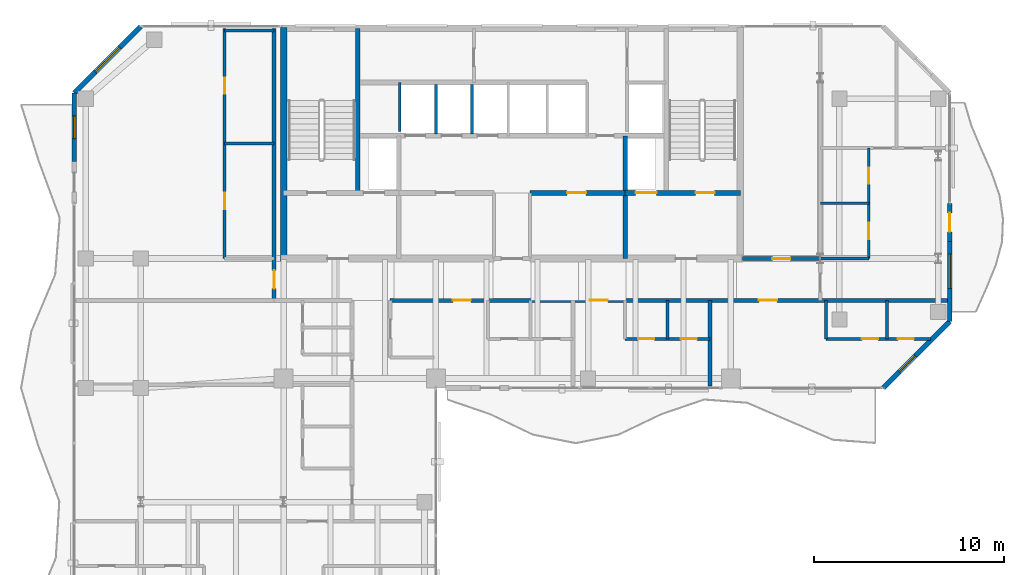
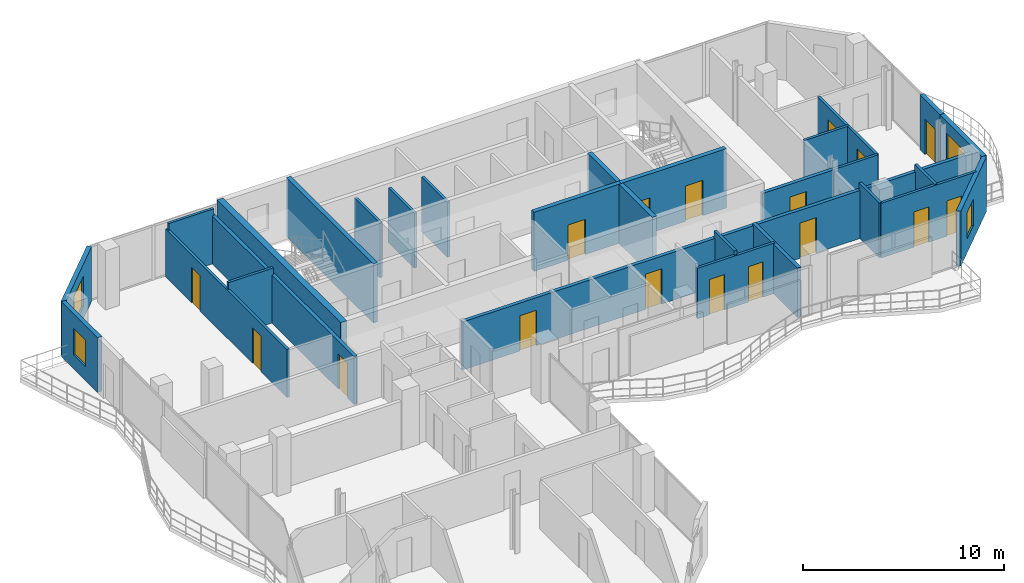
# One storey, part 19 of 23: 28 walls, 17 doors, 4 windows, 21 openings.
"""IFC4 building model written with IfcOpenShell, lengths in metres."""

from ifc_helpers import new_model, si_unit, direction, frame, frame_2d, origin, place, context, subcontext, project, spatial, rectangle, extrude, material, layer, layer_set, type_object, element, fill, save


model = new_model("IFC4")

# Units and contexts
model_context = context("Model", 3, precision=1e-05, world=origin(), true_north=direction((0.0, 1.0)))
body_context = subcontext(model_context, "Body", "Model", "MODEL_VIEW")
ifc_project = project(units=[si_unit("LENGTHUNIT", "METRE"), si_unit("AREAUNIT", "SQUARE_METRE"), si_unit("VOLUMEUNIT", "CUBIC_METRE"), si_unit("PLANEANGLEUNIT", "RADIAN"), si_unit("MASSUNIT", "GRAM", prefix="KILO")], contexts=[model_context])

# Site, building, storey
site_placement = place(None, origin())
site = spatial("IfcSite", under=ifc_project, at=site_placement, CompositionType="ELEMENT")
building_placement = place(site_placement, origin())
building = spatial("IfcBuilding", under=site, at=building_placement, Name="Catumbela Crestline Tower", CompositionType="ELEMENT")
storey_placement = place(building_placement, frame((0.0, 0.0, 183.0)))
storey = spatial("IfcBuildingStorey", under=building, at=storey_placement, Name="L47", CompositionType="ELEMENT", Elevation=183.0)

# Walls
ifc_material_1 = material(Name="Concrete C50/60", Category="concrete")
ifc_layer_1 = layer(ifc_material_1, 0.25, Name="Concrete C50/60")
ifc_layer_set_1 = layer_set([ifc_layer_1], Name="Concrete C50/60")
wall_type_1 = type_object("IfcWallType", Name="CW-250D", PredefinedType="SHEAR", material=ifc_layer_set_1)
wall_1_placement = place(storey_placement, frame((19.9, 34.25, 0.0), z_axis=(0.0, 0.0, 1.0), x_axis=(0.0, 1.0, 0.0)))
element("IfcWall", 1, at=wall_1_placement, inside=storey, type_object=wall_type_1, Name="L47 Structural Core Shear Wall WWEB", PredefinedType="SHEAR", context=body_context, shape_type="SweptSolid", body=[
    extrude(rectangle(XDim=8.65, YDim=0.25, at=frame_2d((4.325, 0.0))), origin(), (0.0, 0.0, 1.0), 3.6),
])
wall_2_placement = place(storey_placement, frame((33.95, 30.8, 0.0), z_axis=(0.0, 0.0, 1.0), x_axis=(0.0, 1.0, 0.0)))
element("IfcWall", 2, at=wall_2_placement, inside=storey, type_object=wall_type_1, Name="L47 Structural Core Shear Wall FFE", PredefinedType="SHEAR", context=body_context, shape_type="SweptSolid", body=[
    extrude(rectangle(XDim=6.45, YDim=0.25, at=frame_2d((3.225, 0.0))), origin(), (0.0, 0.0, 1.0), 3.6),
])

# Wall, openings, doors
wall_3_placement = place(storey_placement, frame((33.95, 34.25, 0.0), z_axis=(0.0, 0.0, 1.0), x_axis=(1.0, 0.0, 0.0)))
wall_3 = element("IfcWall", 3, at=wall_3_placement, inside=storey, type_object=wall_type_1, Name="L47 Structural Core Shear Wall ST2S", PredefinedType="SHEAR", context=body_context, shape_type="SweptSolid", body=[
    extrude(rectangle(XDim=6.05, YDim=0.25, at=frame_2d((3.025, 0.0))), origin(), (0.0, 0.0, 1.0), 3.6),
])
opening_1_placement = place(wall_3_placement, frame((3.7, 0.0, 0.0)))
opening_1 = element("IfcOpeningElement", 4, at=opening_1_placement, cuts=wall_3, Name="Opening DF9-100", PredefinedType="OPENING", context=body_context, shape_type="SweptSolid", body=[
    extrude(rectangle(XDim=1.0, YDim=2.15, at=frame_2d((0.5, 1.075))), frame((0.0, 0.135, 0.0), z_axis=(0.0, -1.0, 0.0), x_axis=(1.0, 0.0, 0.0)), (0.0, 0.0, 1.0), 0.27),
])
opening_2_placement = place(wall_3_placement, frame((0.55, 0.0, 0.0)))
opening_2 = element("IfcOpeningElement", 5, at=opening_2_placement, cuts=wall_3, Name="Opening LD-110", PredefinedType="OPENING", context=body_context, shape_type="SweptSolid", body=[
    extrude(rectangle(XDim=1.1, YDim=2.15, at=frame_2d((0.55, 1.075))), frame((0.0, 0.135, 0.0), z_axis=(0.0, -1.0, 0.0), x_axis=(1.0, 0.0, 0.0)), (0.0, 0.0, 1.0), 0.27),
])
ifc_material_2 = material(Name="Stainless steel EN 1.4401", Category="steel")
door_type_1 = type_object("IfcDoorType", Name="DF9-100", OperationType="NOTDEFINED", PredefinedType="DOOR", material=ifc_material_2)
door_1_placement = place(opening_1_placement, origin())
door_1 = element("IfcDoor", 6, at=door_1_placement, inside=storey, type_object=door_type_1, Name="L47 Interior Door DR-L47-ST02", OperationType="SINGLE_SWING_RIGHT", OverallHeight=2.15, OverallWidth=1.0, PredefinedType="DOOR", context=body_context, shape_type="SweptSolid", body=[
    extrude(rectangle(XDim=1.0, YDim=2.15, at=frame_2d((0.5, 1.075))), frame((0.0, 0.025, 0.0), z_axis=(0.0, -1.0, 0.0), x_axis=(1.0, 0.0, 0.0)), (0.0, 0.0, 1.0), 0.05),
])
fill(opening_1, door_1)
door_type_2 = type_object("IfcDoorType", Name="LD-110", OperationType="NOTDEFINED", PredefinedType="DOOR", material=ifc_material_2)
door_2_placement = place(opening_2_placement, origin())
door_2 = element("IfcDoor", 7, at=door_2_placement, inside=storey, type_object=door_type_2, Name="L47 Lift Landing Sliding Door FL-02", OperationType="DOUBLE_DOOR_SLIDING", OverallHeight=2.15, OverallWidth=1.1, PredefinedType="DOOR", context=body_context, shape_type="SweptSolid", body=[
    extrude(rectangle(XDim=1.1, YDim=2.15, at=frame_2d((0.55, 1.075))), frame((0.0, 0.025, 0.0), z_axis=(0.0, -1.0, 0.0), x_axis=(1.0, 0.0, 0.0)), (0.0, 0.0, 1.0), 0.05),
])
fill(opening_2, door_2)

# Wall, opening, door
wall_4_placement = place(storey_placement, frame((28.95, 34.25, 0.0), z_axis=(0.0, 0.0, 1.0), x_axis=(1.0, 0.0, 0.0)))
wall_4 = element("IfcWall", 8, at=wall_4_placement, inside=storey, type_object=wall_type_1, Name="L47 Structural Core Shear Wall LIFTS-E", PredefinedType="SHEAR", context=body_context, shape_type="SweptSolid", body=[
    extrude(rectangle(XDim=5.0, YDim=0.25, at=frame_2d((2.5, 0.0))), origin(), (0.0, 0.0, 1.0), 3.6),
])
opening_3_placement = place(wall_4_placement, frame((1.95, 0.0, 0.0)))
opening_3 = element("IfcOpeningElement", 9, at=opening_3_placement, cuts=wall_4, Name="Opening DF9-100", PredefinedType="OPENING", context=body_context, shape_type="SweptSolid", body=[
    extrude(rectangle(XDim=1.0, YDim=2.15, at=frame_2d((0.5, 1.075))), frame((0.0, 0.135, 0.0), z_axis=(0.0, -1.0, 0.0), x_axis=(1.0, 0.0, 0.0)), (0.0, 0.0, 1.0), 0.27),
])
door_3_placement = place(opening_3_placement, origin())
door_3 = element("IfcDoor", 10, at=door_3_placement, inside=storey, type_object=door_type_1, Name="L47 Interior Door DR-L47-RECL2", OperationType="SINGLE_SWING_RIGHT", OverallHeight=2.15, OverallWidth=1.0, PredefinedType="DOOR", context=body_context, shape_type="SweptSolid", body=[
    extrude(rectangle(XDim=1.0, YDim=2.15, at=frame_2d((0.5, 1.075))), frame((0.0, 0.025, 0.0), z_axis=(0.0, -1.0, 0.0), x_axis=(1.0, 0.0, 0.0)), (0.0, 0.0, 1.0), 0.05),
])
fill(opening_3, door_3)

# Wall
ifc_layer_2 = layer(ifc_material_1, 0.35, Name="Concrete C50/60")
ifc_layer_set_2 = layer_set([ifc_layer_2], Name="Concrete C50/60")
wall_type_2 = type_object("IfcWallType", Name="CW-350B", PredefinedType="SHEAR", material=ifc_layer_set_2)
wall_5_placement = place(storey_placement, frame((16.0, 30.65, 0.0), z_axis=(0.0, 0.0, 1.0), x_axis=(0.0, 1.0, 0.0)))
element("IfcWall", 11, at=wall_5_placement, inside=storey, type_object=wall_type_2, Name="L47 Structural Core Shear Wall W", PredefinedType="SHEAR", context=body_context, shape_type="SweptSolid", body=[
    extrude(rectangle(XDim=12.3, YDim=0.35, at=frame_2d((6.15, 0.0))), origin(), (0.0, 0.0, 1.0), 3.6),
])

# Wall, openings, doors
ifc_material_3 = material(Name="Acoustic gypsum and mineral-wool partition")
ifc_layer_3 = layer(ifc_material_3, 0.2, Name="Acoustic gypsum and mineral-wool partition")
ifc_layer_set_3 = layer_set([ifc_layer_3], Name="Acoustic gypsum and mineral-wool partition")
wall_type_3 = type_object("IfcWallType", Name="WC-200", PredefinedType="PARTITIONING", material=ifc_layer_set_3)
wall_6_placement = place(storey_placement, frame((21.6, 28.6, 0.0), z_axis=(0.0, 0.0, 1.0), x_axis=(1.0, 0.0, 0.0)))
wall_6 = element("IfcWall", 12, at=wall_6_placement, inside=storey, type_object=wall_type_3, Name="L47 Interior Partition PW-L47-RCWR", PredefinedType="PARTITIONING", context=body_context, shape_type="SweptSolid", body=[
    extrude(rectangle(XDim=29.3, YDim=0.2, at=frame_2d((14.65, 0.0))), origin(), (0.0, 0.0, 1.0), 2.92),
])
opening_4_placement = place(wall_6_placement, frame((3.293, 0.0, 0.0)))
opening_4 = element("IfcOpeningElement", 13, at=opening_4_placement, cuts=wall_6, Name="Opening DF6-095", PredefinedType="OPENING", context=body_context, shape_type="SweptSolid", body=[
    extrude(rectangle(XDim=0.95, YDim=2.15, at=frame_2d((0.475, 1.075))), frame((0.0, 0.11, 0.0), z_axis=(0.0, -1.0, 0.0), x_axis=(1.0, 0.0, 0.0)), (0.0, 0.0, 1.0), 0.22),
])
opening_5_placement = place(wall_6_placement, frame((10.493, 0.0, 0.0)))
opening_5 = element("IfcOpeningElement", 14, at=opening_5_placement, cuts=wall_6, Name="Opening DF6-095", PredefinedType="OPENING", context=body_context, shape_type="SweptSolid", body=[
    extrude(rectangle(XDim=0.95, YDim=2.15, at=frame_2d((0.475, 1.075))), frame((0.0, 0.11, 0.0), z_axis=(0.0, -1.0, 0.0), x_axis=(1.0, 0.0, 0.0)), (0.0, 0.0, 1.0), 0.22),
])
opening_6_placement = place(wall_6_placement, frame((19.375, 0.0, 0.0)))
opening_6 = element("IfcOpeningElement", 15, at=opening_6_placement, cuts=wall_6, Name="Opening DF6-095", PredefinedType="OPENING", context=body_context, shape_type="SweptSolid", body=[
    extrude(rectangle(XDim=0.95, YDim=2.15, at=frame_2d((0.475, 1.075))), frame((0.0, 0.11, 0.0), z_axis=(0.0, -1.0, 0.0), x_axis=(1.0, 0.0, 0.0)), (0.0, 0.0, 1.0), 0.22),
])
ifc_material_4 = material(Name="Aluminium alloy AW-6060-T66", Category="aluminium")
door_type_3 = type_object("IfcDoorType", Name="DF6-095", OperationType="NOTDEFINED", PredefinedType="DOOR", material=ifc_material_4)
door_4_placement = place(opening_4_placement, origin())
door_4 = element("IfcDoor", 16, at=door_4_placement, inside=storey, type_object=door_type_3, Name="L47 Interior Door DR-L47-S1-ENT", OperationType="SINGLE_SWING_LEFT", OverallHeight=2.15, OverallWidth=0.95, PredefinedType="DOOR", context=body_context, shape_type="SweptSolid", body=[
    extrude(rectangle(XDim=0.95, YDim=2.15, at=frame_2d((0.475, 1.075))), frame((0.0, 0.025, 0.0), z_axis=(0.0, -1.0, 0.0), x_axis=(1.0, 0.0, 0.0)), (0.0, 0.0, 1.0), 0.05),
])
fill(opening_4, door_4)
door_5_placement = place(opening_5_placement, origin())
door_5 = element("IfcDoor", 17, at=door_5_placement, inside=storey, type_object=door_type_3, Name="L47 Interior Door DR-L47-S2-ENT", OperationType="SINGLE_SWING_RIGHT", OverallHeight=2.15, OverallWidth=0.95, PredefinedType="DOOR", context=body_context, shape_type="SweptSolid", body=[
    extrude(rectangle(XDim=0.95, YDim=2.15, at=frame_2d((0.475, 1.075))), frame((0.0, 0.025, 0.0), z_axis=(0.0, -1.0, 0.0), x_axis=(1.0, 0.0, 0.0)), (0.0, 0.0, 1.0), 0.05),
])
fill(opening_5, door_5)
door_6_placement = place(opening_6_placement, origin())
door_6 = element("IfcDoor", 18, at=door_6_placement, inside=storey, type_object=door_type_3, Name="L47 Interior Door DR-L47-S3-ENT", OperationType="SINGLE_SWING_LEFT", OverallHeight=2.15, OverallWidth=0.95, PredefinedType="DOOR", context=body_context, shape_type="SweptSolid", body=[
    extrude(rectangle(XDim=0.95, YDim=2.15, at=frame_2d((0.475, 1.075))), frame((0.0, 0.025, 0.0), z_axis=(0.0, -1.0, 0.0), x_axis=(1.0, 0.0, 0.0)), (0.0, 0.0, 1.0), 0.05),
])
fill(opening_6, door_6)

# Wall, opening, door
wall_7_placement = place(storey_placement, frame((15.5, 28.6, 0.0), z_axis=(0.0, 0.0, 1.0), x_axis=(0.0, 1.0, 0.0)))
wall_7 = element("IfcWall", 19, at=wall_7_placement, inside=storey, type_object=wall_type_3, Name="L47 Interior Partition PW-L47-NW1-ENT", PredefinedType="PARTITIONING", context=body_context, shape_type="SweptSolid", body=[
    extrude(rectangle(XDim=14.3, YDim=0.2, at=frame_2d((7.15, 0.0))), origin(), (0.0, 0.0, 1.0), 2.92),
])
opening_7_placement = place(wall_7_placement, frame((0.625, 0.0, 0.0)))
opening_7 = element("IfcOpeningElement", 20, at=opening_7_placement, cuts=wall_7, Name="Opening DF6-095", PredefinedType="OPENING", context=body_context, shape_type="SweptSolid", body=[
    extrude(rectangle(XDim=0.95, YDim=2.15, at=frame_2d((0.475, 1.075))), frame((0.0, 0.11, 0.0), z_axis=(0.0, -1.0, 0.0), x_axis=(1.0, 0.0, 0.0)), (0.0, 0.0, 1.0), 0.22),
])
door_7_placement = place(opening_7_placement, origin())
door_7 = element("IfcDoor", 21, at=door_7_placement, inside=storey, type_object=door_type_3, Name="L47 Interior Door DR-L47-NW1-ENT", OperationType="SINGLE_SWING_LEFT", OverallHeight=2.15, OverallWidth=0.95, PredefinedType="DOOR", context=body_context, shape_type="SweptSolid", body=[
    extrude(rectangle(XDim=0.95, YDim=2.15, at=frame_2d((0.475, 1.075))), frame((0.0, 0.025, 0.0), z_axis=(0.0, -1.0, 0.0), x_axis=(1.0, 0.0, 0.0)), (0.0, 0.0, 1.0), 0.05),
])
fill(opening_7, door_7)

wall_8_placement = place(storey_placement, frame((40.1, 30.8, 0.0), z_axis=(0.0, 0.0, 1.0), x_axis=(1.0, 0.0, 0.0)))
wall_8 = element("IfcWall", 22, at=wall_8_placement, inside=storey, type_object=wall_type_3, Name="L47 Interior Partition PW-L47-NERM-ENT", PredefinedType="PARTITIONING", context=body_context, shape_type="SweptSolid", body=[
    extrude(rectangle(XDim=4.1, YDim=0.2, at=frame_2d((2.05, 0.0))), origin(), (0.0, 0.0, 1.0), 2.92),
])
opening_8_placement = place(wall_8_placement, frame((1.575, 0.0, 0.0)))
opening_8 = element("IfcOpeningElement", 23, at=opening_8_placement, cuts=wall_8, Name="Opening DF6-095", PredefinedType="OPENING", context=body_context, shape_type="SweptSolid", body=[
    extrude(rectangle(XDim=0.95, YDim=2.15, at=frame_2d((0.475, 1.075))), frame((0.0, 0.11, 0.0), z_axis=(0.0, -1.0, 0.0), x_axis=(1.0, 0.0, 0.0)), (0.0, 0.0, 1.0), 0.22),
])
door_8_placement = place(opening_8_placement, origin())
door_8 = element("IfcDoor", 24, at=door_8_placement, inside=storey, type_object=door_type_3, Name="L47 Interior Door DR-L47-NERM-ENT", OperationType="SINGLE_SWING_LEFT", OverallHeight=2.15, OverallWidth=0.95, PredefinedType="DOOR", context=body_context, shape_type="SweptSolid", body=[
    extrude(rectangle(XDim=0.95, YDim=2.15, at=frame_2d((0.475, 1.075))), frame((0.0, 0.025, 0.0), z_axis=(0.0, -1.0, 0.0), x_axis=(1.0, 0.0, 0.0)), (0.0, 0.0, 1.0), 0.05),
])
fill(opening_8, door_8)

# Wall, opening, window
ifc_material_5 = material(Name="Angolan grey-ochre granite", Category="masonry")
ifc_layer_4 = layer(ifc_material_5, 0.25, Name="Angolan grey-ochre granite")
ifc_layer_set_4 = layer_set([ifc_layer_4], Name="Angolan grey-ochre granite")
wall_type_4 = type_object("IfcWallType", Name="WE-250", PredefinedType="STANDARD", material=ifc_layer_set_4)
wall_9_placement = place(storey_placement, frame((47.5, 24.0, 0.0), z_axis=(0.0, 0.0, 1.0), x_axis=(0.707106781187, 0.707106781187, 0.0)))
wall_9 = element("IfcWall", 25, at=wall_9_placement, inside=storey, type_object=wall_type_4, Name="L47 Granite Punched Window Wall 4-1", PredefinedType="STANDARD", context=body_context, shape_type="SweptSolid", body=[
    extrude(rectangle(XDim=4.9497, YDim=0.25, at=frame_2d((2.4748, 0.0))), origin(), (0.0, 0.0, 1.0), 3.33),
])
opening_9_placement = place(wall_9_placement, frame((1.1962, 0.0, 0.85)))
opening_9 = element("IfcOpeningElement", 26, at=opening_9_placement, cuts=wall_9, Name="Opening WN-02", PredefinedType="OPENING", context=body_context, shape_type="SweptSolid", body=[
    extrude(rectangle(XDim=1.2, YDim=1.6, at=frame_2d((0.6, 0.8))), frame((0.0, 0.135, 0.0), z_axis=(0.0, -1.0, 0.0), x_axis=(1.0, 0.0, 0.0)), (0.0, 0.0, 1.0), 0.27),
])
ifc_material_6 = material(Name="Low-E laminated solar-control double glazing", Category="glass")
window_type_1 = type_object("IfcWindowType", Name="WO-1200", PartitioningType="SINGLE_PANEL", PredefinedType="WINDOW", material=ifc_material_6)
window_1_placement = place(opening_9_placement, origin())
window_1 = element("IfcWindow", 27, at=window_1_placement, inside=storey, type_object=window_type_1, Name="L47 Facade Vision Window 298", OverallHeight=1.6, OverallWidth=1.2, PartitioningType="SINGLE_PANEL", PredefinedType="WINDOW", context=body_context, shape_type="SweptSolid", body=[
    extrude(rectangle(XDim=1.2, YDim=1.6, at=frame_2d((0.6, 0.8))), frame((0.0, 0.03, 0.0), z_axis=(0.0, -1.0, 0.0), x_axis=(1.0, 0.0, 0.0)), (0.0, 0.0, 1.0), 0.06),
])
fill(opening_9, window_1)

# Wall, opening, door
wall_10_placement = place(storey_placement, frame((51.0, 31.7, 0.0), z_axis=(0.0, 0.0, 1.0), x_axis=(0.0, 1.0, 0.0)))
wall_10 = element("IfcWall", 28, at=wall_10_placement, inside=storey, type_object=wall_type_4, Name="L47 Exterior Threshold Portal Wall DR-L47-WBAL-2", PredefinedType="STANDARD", context=body_context, shape_type="SweptSolid", body=[
    extrude(rectangle(XDim=2.0, YDim=0.25, at=frame_2d((1.0, 0.0))), origin(), (0.0, 0.0, 1.0), 3.33),
])
opening_10_placement = place(wall_10_placement, frame((0.5, 0.0, 0.0)))
opening_10 = element("IfcOpeningElement", 29, at=opening_10_placement, cuts=wall_10, Name="Opening DB-L47-2", PredefinedType="OPENING", context=body_context, shape_type="SweptSolid", body=[
    extrude(rectangle(XDim=1.0, YDim=2.15, at=frame_2d((0.5, 1.075))), frame((0.0, 0.135, 0.0), z_axis=(0.0, -1.0, 0.0), x_axis=(1.0, 0.0, 0.0)), (0.0, 0.0, 1.0), 0.27),
])
door_type_4 = type_object("IfcDoorType", Name="DB-1000", OperationType="NOTDEFINED", PredefinedType="DOOR", material=ifc_material_4)
door_9_placement = place(opening_10_placement, origin())
door_9 = element("IfcDoor", 30, at=door_9_placement, inside=storey, type_object=door_type_4, Name="L47 Wave Balcony Terrace Door 2", OperationType="SINGLE_SWING_RIGHT", OverallHeight=2.15, OverallWidth=1.0, PredefinedType="DOOR", context=body_context, shape_type="SweptSolid", body=[
    extrude(rectangle(XDim=1.0, YDim=2.15, at=frame_2d((0.5, 1.075))), frame((0.0, 0.025, 0.0), z_axis=(0.0, -1.0, 0.0), x_axis=(1.0, 0.0, 0.0)), (0.0, 0.0, 1.0), 0.05),
])
fill(opening_10, door_9)

# Wall, opening, window
wall_11_placement = place(storey_placement, frame((51.0, 27.5, 0.0), z_axis=(0.0, 0.0, 1.0), x_axis=(0.0, 1.0, 0.0)))
wall_11 = element("IfcWall", 31, at=wall_11_placement, inside=storey, type_object=wall_type_4, Name="L47 Granite Punched Window Wall 5-1", PredefinedType="STANDARD", context=body_context, shape_type="SweptSolid", body=[
    extrude(rectangle(XDim=4.2, YDim=0.25, at=frame_2d((2.1, 0.0))), origin(), (0.0, 0.0, 1.0), 3.33),
])
opening_11_placement = place(wall_11_placement, frame((1.74, 0.0, 0.75)))
opening_11 = element("IfcOpeningElement", 32, at=opening_11_placement, cuts=wall_11, Name="Opening WN-01", PredefinedType="OPENING", context=body_context, shape_type="SweptSolid", body=[
    extrude(rectangle(XDim=1.8, YDim=1.85, at=frame_2d((0.9, 0.925))), frame((0.0, 0.135, 0.0), z_axis=(0.0, -1.0, 0.0), x_axis=(1.0, 0.0, 0.0)), (0.0, 0.0, 1.0), 0.27),
])
window_type_2 = type_object("IfcWindowType", Name="WF-1800", PartitioningType="SINGLE_PANEL", PredefinedType="WINDOW", material=ifc_material_6)
window_2_placement = place(opening_11_placement, origin())
window_2 = element("IfcWindow", 33, at=window_2_placement, inside=storey, type_object=window_type_2, Name="L47 Facade Vision Window 299", OverallHeight=1.85, OverallWidth=1.8, PartitioningType="SINGLE_PANEL", PredefinedType="WINDOW", context=body_context, shape_type="SweptSolid", body=[
    extrude(rectangle(XDim=1.8, YDim=1.85, at=frame_2d((0.9, 0.925))), frame((0.0, 0.03, 0.0), z_axis=(0.0, -1.0, 0.0), x_axis=(1.0, 0.0, 0.0)), (0.0, 0.0, 1.0), 0.06),
])
fill(opening_11, window_2)

wall_12_placement = place(storey_placement, frame((8.5, 43.0, 0.0), z_axis=(0.0, 0.0, 1.0), x_axis=(-0.707106781187, -0.707106781187, 0.0)))
wall_12 = element("IfcWall", 34, at=wall_12_placement, inside=storey, type_object=wall_type_4, Name="L47 Granite Punched Window Wall 8-1", PredefinedType="STANDARD", context=body_context, shape_type="SweptSolid", body=[
    extrude(rectangle(XDim=4.9497, YDim=0.25, at=frame_2d((2.4748, 0.0))), origin(), (0.0, 0.0, 1.0), 3.33),
])
opening_12_placement = place(wall_12_placement, frame((1.5749, 0.0, 0.75)))
opening_12 = element("IfcOpeningElement", 35, at=opening_12_placement, cuts=wall_12, Name="Opening WN-01", PredefinedType="OPENING", context=body_context, shape_type="SweptSolid", body=[
    extrude(rectangle(XDim=1.8, YDim=1.85, at=frame_2d((0.9, 0.925))), frame((0.0, 0.135, 0.0), z_axis=(0.0, -1.0, 0.0), x_axis=(1.0, 0.0, 0.0)), (0.0, 0.0, 1.0), 0.27),
])
window_3_placement = place(opening_12_placement, origin())
window_3 = element("IfcWindow", 36, at=window_3_placement, inside=storey, type_object=window_type_2, Name="L47 Facade Vision Window 301", OverallHeight=1.85, OverallWidth=1.8, PartitioningType="SINGLE_PANEL", PredefinedType="WINDOW", context=body_context, shape_type="SweptSolid", body=[
    extrude(rectangle(XDim=1.8, YDim=1.85, at=frame_2d((0.9, 0.925))), frame((0.0, 0.03, 0.0), z_axis=(0.0, -1.0, 0.0), x_axis=(1.0, 0.0, 0.0)), (0.0, 0.0, 1.0), 0.06),
])
fill(opening_12, window_3)

wall_13_placement = place(storey_placement, frame((5.0, 39.5, 0.0), z_axis=(0.0, 0.0, 1.0), x_axis=(0.0, -1.0, 0.0)))
wall_13 = element("IfcWall", 37, at=wall_13_placement, inside=storey, type_object=wall_type_4, Name="L47 Granite Punched Window Wall 9-1", PredefinedType="STANDARD", context=body_context, shape_type="SweptSolid", body=[
    extrude(rectangle(XDim=3.6, YDim=0.25, at=frame_2d((1.8, 0.0))), origin(), (0.0, 0.0, 1.0), 3.33),
])
opening_13_placement = place(wall_13_placement, frame((1.2, 0.0, 0.85)))
opening_13 = element("IfcOpeningElement", 38, at=opening_13_placement, cuts=wall_13, Name="Opening WN-02", PredefinedType="OPENING", context=body_context, shape_type="SweptSolid", body=[
    extrude(rectangle(XDim=1.2, YDim=1.6, at=frame_2d((0.6, 0.8))), frame((0.0, 0.135, 0.0), z_axis=(0.0, -1.0, 0.0), x_axis=(1.0, 0.0, 0.0)), (0.0, 0.0, 1.0), 0.27),
])
window_4_placement = place(opening_13_placement, origin())
window_4 = element("IfcWindow", 39, at=window_4_placement, inside=storey, type_object=window_type_1, Name="L47 Facade Vision Window 302", OverallHeight=1.6, OverallWidth=1.2, PartitioningType="SINGLE_PANEL", PredefinedType="WINDOW", context=body_context, shape_type="SweptSolid", body=[
    extrude(rectangle(XDim=1.2, YDim=1.6, at=frame_2d((0.6, 0.8))), frame((0.0, 0.03, 0.0), z_axis=(0.0, -1.0, 0.0), x_axis=(1.0, 0.0, 0.0)), (0.0, 0.0, 1.0), 0.06),
])
fill(opening_13, window_4)

# Wall
ifc_layer_5 = layer(ifc_material_3, 0.15, Name="Acoustic gypsum and mineral-wool partition")
ifc_layer_set_5 = layer_set([ifc_layer_5], Name="Acoustic gypsum and mineral-wool partition")
wall_type_5 = type_object("IfcWallType", Name="WP-150", PredefinedType="PARTITIONING", material=ifc_layer_set_5)
wall_14_placement = place(storey_placement, frame((12.9, 36.85, 0.0), z_axis=(0.0, 0.0, 1.0), x_axis=(1.0, 0.0, 0.0)))
element("IfcWall", 40, at=wall_14_placement, inside=storey, type_object=wall_type_5, Name="L47 Interior Partition PW-L47-NW1-KBM", PredefinedType="PARTITIONING", context=body_context, shape_type="SweptSolid", body=[
    extrude(rectangle(XDim=2.6, YDim=0.15, at=frame_2d((1.3, 0.0))), origin(), (0.0, 0.0, 1.0), 3.33),
])

# Wall, openings, doors
wall_15_placement = place(storey_placement, frame((12.9, 30.8, 0.0), z_axis=(0.0, 0.0, 1.0), x_axis=(0.0, 1.0, 0.0)))
wall_15 = element("IfcWall", 41, at=wall_15_placement, inside=storey, type_object=wall_type_5, Name="L47 Interior Partition PW-L47-NW1-SK1", PredefinedType="PARTITIONING", context=body_context, shape_type="SweptSolid", body=[
    extrude(rectangle(XDim=12.1, YDim=0.15, at=frame_2d((6.05, 0.0))), origin(), (0.0, 0.0, 1.0), 2.92),
])
opening_14_placement = place(wall_15_placement, frame((2.6, 0.0, 0.0)))
opening_14 = element("IfcOpeningElement", 42, at=opening_14_placement, cuts=wall_15, Name="Opening DI-085", PredefinedType="OPENING", context=body_context, shape_type="SweptSolid", body=[
    extrude(rectangle(XDim=0.85, YDim=2.15, at=frame_2d((0.425, 1.075))), frame((0.0, 0.085, 0.0), z_axis=(0.0, -1.0, 0.0), x_axis=(1.0, 0.0, 0.0)), (0.0, 0.0, 1.0), 0.17),
])
opening_15_placement = place(wall_15_placement, frame((8.65, 0.0, 0.0)))
opening_15 = element("IfcOpeningElement", 43, at=opening_15_placement, cuts=wall_15, Name="Opening DI-085", PredefinedType="OPENING", context=body_context, shape_type="SweptSolid", body=[
    extrude(rectangle(XDim=0.85, YDim=2.15, at=frame_2d((0.425, 1.075))), frame((0.0, 0.085, 0.0), z_axis=(0.0, -1.0, 0.0), x_axis=(1.0, 0.0, 0.0)), (0.0, 0.0, 1.0), 0.17),
])
door_type_5 = type_object("IfcDoorType", Name="DI-085", OperationType="NOTDEFINED", PredefinedType="DOOR", material=ifc_material_4)
door_10_placement = place(opening_14_placement, origin())
door_10 = element("IfcDoor", 44, at=door_10_placement, inside=storey, type_object=door_type_5, Name="L47 Interior Door DR-L47-NW1-KIT", OperationType="SINGLE_SWING_LEFT", OverallHeight=2.15, OverallWidth=0.85, PredefinedType="DOOR", context=body_context, shape_type="SweptSolid", body=[
    extrude(rectangle(XDim=0.85, YDim=2.15, at=frame_2d((0.425, 1.075))), frame((0.0, 0.025, 0.0), z_axis=(0.0, -1.0, 0.0), x_axis=(1.0, 0.0, 0.0)), (0.0, 0.0, 1.0), 0.05),
])
fill(opening_14, door_10)
door_11_placement = place(opening_15_placement, origin())
door_11 = element("IfcDoor", 45, at=door_11_placement, inside=storey, type_object=door_type_5, Name="L47 Interior Door DR-L47-NW1-BTH", OperationType="SINGLE_SWING_RIGHT", OverallHeight=2.15, OverallWidth=0.85, PredefinedType="DOOR", context=body_context, shape_type="SweptSolid", body=[
    extrude(rectangle(XDim=0.85, YDim=2.15, at=frame_2d((0.425, 1.075))), frame((0.0, 0.025, 0.0), z_axis=(0.0, -1.0, 0.0), x_axis=(1.0, 0.0, 0.0)), (0.0, 0.0, 1.0), 0.05),
])
fill(opening_15, door_11)

# Walls
wall_16_placement = place(storey_placement, frame((12.9, 42.78, 0.0), z_axis=(0.0, 0.0, 1.0), x_axis=(1.0, 0.0, 0.0)))
element("IfcWall", 46, at=wall_16_placement, inside=storey, type_object=wall_type_5, Name="L47 Interior Partition PW-L47-NW1-BTH-BCL-2", PredefinedType="PARTITIONING", context=body_context, shape_type="SweptSolid", body=[
    extrude(rectangle(XDim=2.6, YDim=0.15, at=frame_2d((1.3, 0.0))), origin(), (0.0, 0.0, 1.0), 3.33),
])
for number, where, z_axis, x_axis, name in (
    (47, (44.2, 30.8, 0.0), (0.0, 0.0, 1.0), (1.0, 0.0, 0.0), "L47 Interior Partition PW-L47-NE1-KBS"),
    (48, (44.2, 33.704, 0.0), (0.0, 0.0, 1.0), (1.0, 0.0, 0.0), "L47 Interior Partition PW-L47-NE1-KBM"),
):
    element("IfcWall", number, at=place(storey_placement, frame(where, z_axis=z_axis, x_axis=x_axis)), inside=storey, type_object=wall_type_5, Name=name, PredefinedType="PARTITIONING", context=body_context, shape_type="SweptSolid", body=[
        extrude(rectangle(XDim=2.546, YDim=0.15, at=frame_2d((1.273, 0.0))), origin(), (0.0, 0.0, 1.0), 2.92),
    ])

# Wall, openings, doors
wall_17_placement = place(storey_placement, frame((46.746, 30.8, 0.0), z_axis=(0.0, 0.0, 1.0), x_axis=(0.0, 1.0, 0.0)))
wall_17 = element("IfcWall", 49, at=wall_17_placement, inside=storey, type_object=wall_type_5, Name="L47 Interior Partition PW-L47-NE1-LK", PredefinedType="PARTITIONING", context=body_context, shape_type="SweptSolid", body=[
    extrude(rectangle(XDim=5.808, YDim=0.15, at=frame_2d((2.904, 0.0))), origin(), (0.0, 0.0, 1.0), 2.92),
])
opening_16_placement = place(wall_17_placement, frame((1.027, 0.0, 0.0)))
opening_16 = element("IfcOpeningElement", 50, at=opening_16_placement, cuts=wall_17, Name="Opening DI-085", PredefinedType="OPENING", context=body_context, shape_type="SweptSolid", body=[
    extrude(rectangle(XDim=0.85, YDim=2.15, at=frame_2d((0.425, 1.075))), frame((0.0, 0.085, 0.0), z_axis=(0.0, -1.0, 0.0), x_axis=(1.0, 0.0, 0.0)), (0.0, 0.0, 1.0), 0.17),
])
opening_17_placement = place(wall_17_placement, frame((3.931, 0.0, 0.0)))
opening_17 = element("IfcOpeningElement", 51, at=opening_17_placement, cuts=wall_17, Name="Opening DI-085", PredefinedType="OPENING", context=body_context, shape_type="SweptSolid", body=[
    extrude(rectangle(XDim=0.85, YDim=2.15, at=frame_2d((0.425, 1.075))), frame((0.0, 0.085, 0.0), z_axis=(0.0, -1.0, 0.0), x_axis=(1.0, 0.0, 0.0)), (0.0, 0.0, 1.0), 0.17),
])
door_12_placement = place(opening_16_placement, origin())
door_12 = element("IfcDoor", 52, at=door_12_placement, inside=storey, type_object=door_type_5, Name="L47 Interior Door DR-L47-NE1-KIT", OperationType="SINGLE_SWING_LEFT", OverallHeight=2.15, OverallWidth=0.85, PredefinedType="DOOR", context=body_context, shape_type="SweptSolid", body=[
    extrude(rectangle(XDim=0.85, YDim=2.15, at=frame_2d((0.425, 1.075))), frame((0.0, 0.025, 0.0), z_axis=(0.0, -1.0, 0.0), x_axis=(1.0, 0.0, 0.0)), (0.0, 0.0, 1.0), 0.05),
])
fill(opening_16, door_12)
door_13_placement = place(opening_17_placement, origin())
door_13 = element("IfcDoor", 53, at=door_13_placement, inside=storey, type_object=door_type_5, Name="L47 Interior Door DR-L47-NE1-BTH", OperationType="SINGLE_SWING_RIGHT", OverallHeight=2.15, OverallWidth=0.85, PredefinedType="DOOR", context=body_context, shape_type="SweptSolid", body=[
    extrude(rectangle(XDim=0.85, YDim=2.15, at=frame_2d((0.425, 1.075))), frame((0.0, 0.025, 0.0), z_axis=(0.0, -1.0, 0.0), x_axis=(1.0, 0.0, 0.0)), (0.0, 0.0, 1.0), 0.05),
])
fill(opening_17, door_13)

# Wall
wall_18_placement = place(storey_placement, frame((36.168, 26.576, 0.0), z_axis=(0.0, 0.0, 1.0), x_axis=(0.0, 1.0, 0.0)))
element("IfcWall", 54, at=wall_18_placement, inside=storey, type_object=wall_type_5, Name="L47 Interior Partition PW-L47-S2-KBM", PredefinedType="PARTITIONING", context=body_context, shape_type="SweptSolid", body=[
    extrude(rectangle(XDim=2.024, YDim=0.15, at=frame_2d((1.012, 0.0))), origin(), (0.0, 0.0, 1.0), 3.33),
])

# Wall, openings, doors
wall_19_placement = place(storey_placement, frame((33.936, 26.576, 0.0), z_axis=(0.0, 0.0, 1.0), x_axis=(1.0, 0.0, 0.0)))
wall_19 = element("IfcWall", 55, at=wall_19_placement, inside=storey, type_object=wall_type_5, Name="L47 Interior Partition PW-L47-S2-KBD1", PredefinedType="PARTITIONING", context=body_context, shape_type="SweptSolid", body=[
    extrude(rectangle(XDim=4.464, YDim=0.15, at=frame_2d((2.232, 0.0))), origin(), (0.0, 0.0, 1.0), 3.07),
])
opening_18_placement = place(wall_19_placement, frame((0.691, 0.0, 0.0)))
opening_18 = element("IfcOpeningElement", 56, at=opening_18_placement, cuts=wall_19, Name="Opening DI-085", PredefinedType="OPENING", context=body_context, shape_type="SweptSolid", body=[
    extrude(rectangle(XDim=0.85, YDim=2.15, at=frame_2d((0.425, 1.075))), frame((0.0, 0.085, 0.0), z_axis=(0.0, -1.0, 0.0), x_axis=(1.0, 0.0, 0.0)), (0.0, 0.0, 1.0), 0.17),
])
opening_19_placement = place(wall_19_placement, frame((2.923, 0.0, 0.0)))
opening_19 = element("IfcOpeningElement", 57, at=opening_19_placement, cuts=wall_19, Name="Opening DI-085", PredefinedType="OPENING", context=body_context, shape_type="SweptSolid", body=[
    extrude(rectangle(XDim=0.85, YDim=2.15, at=frame_2d((0.425, 1.075))), frame((0.0, 0.085, 0.0), z_axis=(0.0, -1.0, 0.0), x_axis=(1.0, 0.0, 0.0)), (0.0, 0.0, 1.0), 0.17),
])
door_14_placement = place(opening_18_placement, origin())
door_14 = element("IfcDoor", 58, at=door_14_placement, inside=storey, type_object=door_type_5, Name="L47 Interior Door DR-L47-S2-BTH", OperationType="SINGLE_SWING_LEFT", OverallHeight=2.15, OverallWidth=0.85, PredefinedType="DOOR", context=body_context, shape_type="SweptSolid", body=[
    extrude(rectangle(XDim=0.85, YDim=2.15, at=frame_2d((0.425, 1.075))), frame((0.0, 0.025, 0.0), z_axis=(0.0, -1.0, 0.0), x_axis=(1.0, 0.0, 0.0)), (0.0, 0.0, 1.0), 0.05),
])
fill(opening_18, door_14)
door_15_placement = place(opening_19_placement, origin())
door_15 = element("IfcDoor", 59, at=door_15_placement, inside=storey, type_object=door_type_5, Name="L47 Interior Door DR-L47-S2-KIT", OperationType="SINGLE_SWING_RIGHT", OverallHeight=2.15, OverallWidth=0.85, PredefinedType="DOOR", context=body_context, shape_type="SweptSolid", body=[
    extrude(rectangle(XDim=0.85, YDim=2.15, at=frame_2d((0.425, 1.075))), frame((0.0, 0.025, 0.0), z_axis=(0.0, -1.0, 0.0), x_axis=(1.0, 0.0, 0.0)), (0.0, 0.0, 1.0), 0.05),
])
fill(opening_19, door_15)

# Walls
for number, where, z_axis, x_axis, name in (
    (60, (44.5, 26.576, 0.0), (0.0, 0.0, 1.0), (0.0, 1.0, 0.0), "L47 Interior Partition PW-L47-S3-KBW"),
    (61, (47.7, 26.576, 0.0), (0.0, 0.0, 1.0), (0.0, 1.0, 0.0), "L47 Interior Partition PW-L47-S3-KBM"),
):
    element("IfcWall", number, at=place(storey_placement, frame(where, z_axis=z_axis, x_axis=x_axis)), inside=storey, type_object=wall_type_5, Name=name, PredefinedType="PARTITIONING", context=body_context, shape_type="SweptSolid", body=[
        extrude(rectangle(XDim=2.024, YDim=0.15, at=frame_2d((1.012, 0.0))), origin(), (0.0, 0.0, 1.0), 3.33),
    ])

# Wall, openings, doors
wall_20_placement = place(storey_placement, frame((44.5, 26.576, 0.0), z_axis=(0.0, 0.0, 1.0), x_axis=(1.0, 0.0, 0.0)))
wall_20 = element("IfcWall", 62, at=wall_20_placement, inside=storey, type_object=wall_type_5, Name="L47 Interior Partition PW-L47-S3-KBD1", PredefinedType="PARTITIONING", context=body_context, shape_type="SweptSolid", body=[
    extrude(rectangle(XDim=5.476, YDim=0.15, at=frame_2d((2.738, 0.0))), origin(), (0.0, 0.0, 1.0), 3.33),
])
opening_20_placement = place(wall_20_placement, frame((1.8821, 0.0, 0.0)))
opening_20 = element("IfcOpeningElement", 63, at=opening_20_placement, cuts=wall_20, Name="Opening DI-085", PredefinedType="OPENING", context=body_context, shape_type="SweptSolid", body=[
    extrude(rectangle(XDim=0.85, YDim=2.15, at=frame_2d((0.425, 1.075))), frame((0.0, 0.085, 0.0), z_axis=(0.0, -1.0, 0.0), x_axis=(1.0, 0.0, 0.0)), (0.0, 0.0, 1.0), 0.17),
])
opening_21_placement = place(wall_20_placement, frame((3.7704, 0.0, 0.0)))
opening_21 = element("IfcOpeningElement", 64, at=opening_21_placement, cuts=wall_20, Name="Opening DI-085", PredefinedType="OPENING", context=body_context, shape_type="SweptSolid", body=[
    extrude(rectangle(XDim=0.85, YDim=2.15, at=frame_2d((0.425, 1.075))), frame((0.0, 0.085, 0.0), z_axis=(0.0, -1.0, 0.0), x_axis=(1.0, 0.0, 0.0)), (0.0, 0.0, 1.0), 0.17),
])
door_16_placement = place(opening_20_placement, origin())
door_16 = element("IfcDoor", 65, at=door_16_placement, inside=storey, type_object=door_type_5, Name="L47 Interior Door DR-L47-S3-BTH", OperationType="SINGLE_SWING_RIGHT", OverallHeight=2.15, OverallWidth=0.85, PredefinedType="DOOR", context=body_context, shape_type="SweptSolid", body=[
    extrude(rectangle(XDim=0.85, YDim=2.15, at=frame_2d((0.425, 1.075))), frame((0.0, 0.025, 0.0), z_axis=(0.0, -1.0, 0.0), x_axis=(1.0, 0.0, 0.0)), (0.0, 0.0, 1.0), 0.05),
])
fill(opening_20, door_16)
door_17_placement = place(opening_21_placement, origin())
door_17 = element("IfcDoor", 66, at=door_17_placement, inside=storey, type_object=door_type_5, Name="L47 Interior Door DR-L47-S3-KIT", OperationType="SINGLE_SWING_LEFT", OverallHeight=2.15, OverallWidth=0.85, PredefinedType="DOOR", context=body_context, shape_type="SweptSolid", body=[
    extrude(rectangle(XDim=0.85, YDim=2.15, at=frame_2d((0.425, 1.075))), frame((0.0, 0.025, 0.0), z_axis=(0.0, -1.0, 0.0), x_axis=(1.0, 0.0, 0.0)), (0.0, 0.0, 1.0), 0.05),
])
fill(opening_21, door_17)

# Walls
ifc_layer_6 = layer(ifc_material_3, 0.2, Name="Acoustic gypsum and mineral-wool partition")
ifc_layer_set_6 = layer_set([ifc_layer_6], Name="Acoustic gypsum and mineral-wool partition")
wall_type_6 = type_object("IfcWallType", Name="WY-200", PredefinedType="PARTITIONING", material=ifc_layer_set_6)
wall_21_placement = place(storey_placement, frame((38.4, 24.1, 0.0), z_axis=(0.0, 0.0, 1.0), x_axis=(0.0, 1.0, 0.0)))
element("IfcWall", 67, at=wall_21_placement, inside=storey, type_object=wall_type_6, Name="L47 Interior Partition PW-L47-RSPP-3", PredefinedType="PARTITIONING", context=body_context, shape_type="SweptSolid", body=[
    extrude(rectangle(XDim=4.5, YDim=0.2, at=frame_2d((2.25, 0.0))), origin(), (0.0, 0.0, 1.0), 3.02),
])
ifc_layer_7 = layer(ifc_material_3, 0.15, Name="Acoustic gypsum and mineral-wool partition")
ifc_layer_set_7 = layer_set([ifc_layer_7], Name="Acoustic gypsum and mineral-wool partition")
wall_type_7 = type_object("IfcWallType", Name="WS-150", PredefinedType="PLUMBINGWALL", material=ifc_layer_set_7)
wall_22_placement = place(storey_placement, frame((22.1, 37.4897, 0.0), z_axis=(0.0, 0.0, 1.0), x_axis=(0.0, 1.0, 0.0)))
element("IfcWall", 68, at=wall_22_placement, inside=storey, type_object=wall_type_7, Name="L47 Interior Partition PW-L47-SHH0", PredefinedType="PLUMBINGWALL", context=body_context, shape_type="SweptSolid", body=[
    extrude(rectangle(XDim=2.5603, YDim=0.15, at=frame_2d((1.2801, 0.0))), origin(), (0.0, 0.0, 1.0), 3.33),
])
for number, where, z_axis, x_axis, name in (
    (69, (24.0, 37.35, 0.0), (0.0, 0.0, 1.0), (0.0, 1.0, 0.0), "L47 Interior Partition PW-L47-SHH1"),
    (70, (25.9, 37.35, 0.0), (0.0, 0.0, 1.0), (0.0, 1.0, 0.0), "L47 Interior Partition PW-L47-SHH2"),
):
    element("IfcWall", number, at=place(storey_placement, frame(where, z_axis=z_axis, x_axis=x_axis)), inside=storey, type_object=wall_type_7, Name=name, PredefinedType="PLUMBINGWALL", context=body_context, shape_type="SweptSolid", body=[
        extrude(rectangle(XDim=2.6, YDim=0.15, at=frame_2d((1.3, 0.0))), origin(), (0.0, 0.0, 1.0), 3.33),
    ])

save(model, "model.ifc")
